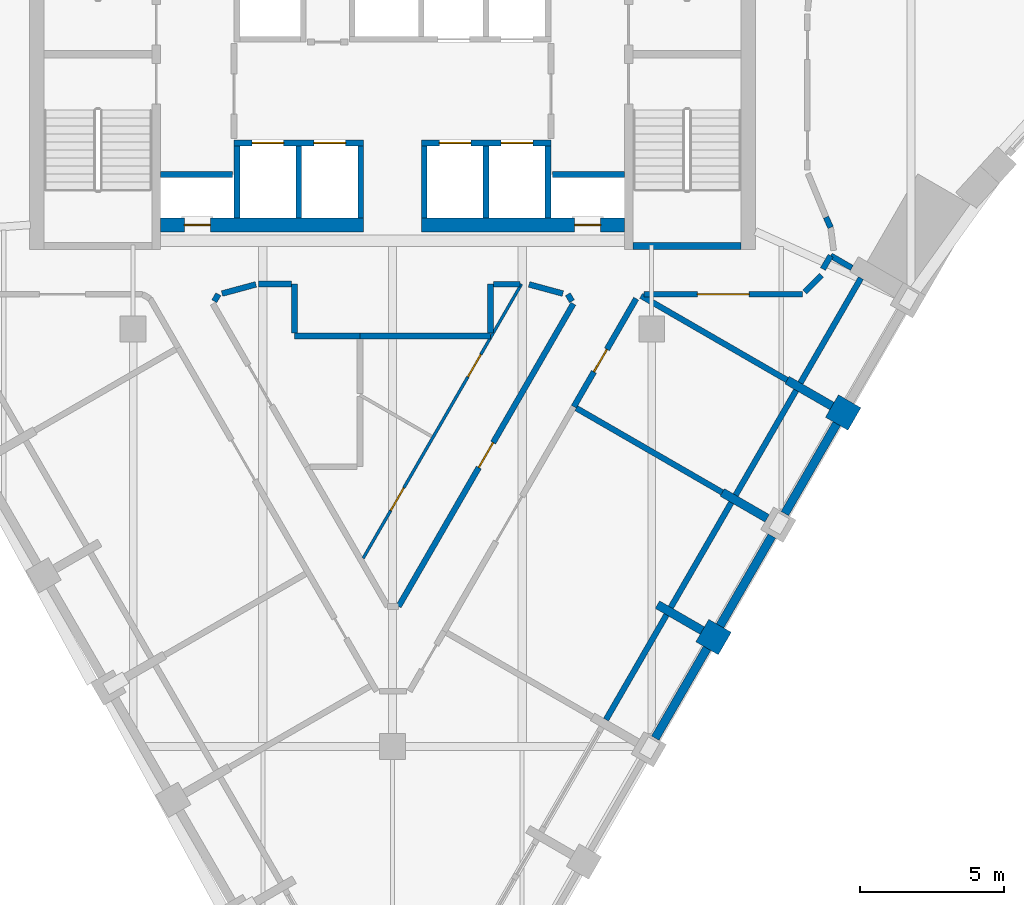
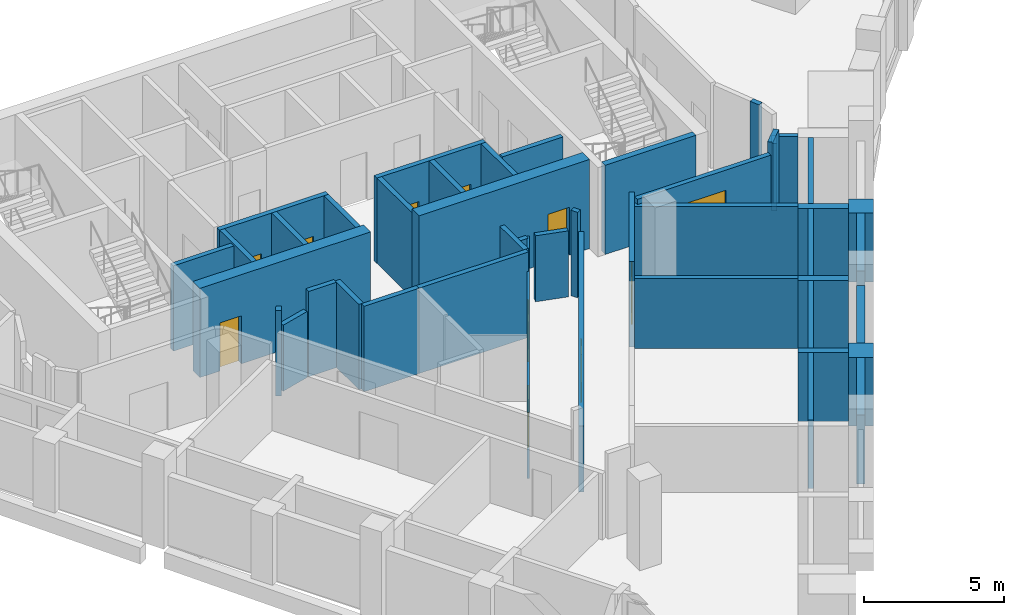
# One storey, part 4 of 8: 45 walls, 11 doors, 11 openings.
"""IFC4 building model written with IfcOpenShell, lengths in metres."""

from ifc_helpers import new_model, si_unit, direction, frame, frame_2d, origin, place, context, subcontext, project, spatial, rectangle, extrude, material, layer, layer_set, type_object, element, fill, save


model = new_model("IFC4")

# Units and contexts
model_context = context("Model", 3, precision=1e-05, world=origin(), true_north=direction((0.0, 1.0)))
body_context = subcontext(model_context, "Body", "Model", "MODEL_VIEW")
ifc_project = project(units=[si_unit("LENGTHUNIT", "METRE"), si_unit("AREAUNIT", "SQUARE_METRE"), si_unit("VOLUMEUNIT", "CUBIC_METRE"), si_unit("PLANEANGLEUNIT", "RADIAN"), si_unit("MASSUNIT", "GRAM", prefix="KILO")], contexts=[model_context])

# Site, building, storey
site_placement = place(None, origin())
site = spatial("IfcSite", under=ifc_project, at=site_placement, CompositionType="ELEMENT")
building_placement = place(site_placement, origin())
building = spatial("IfcBuilding", under=site, at=building_placement, Name="Calabash Gate Tower", CompositionType="ELEMENT")
storey_placement = place(building_placement, frame((0.0, 0.0, 267.699951171875)))
storey = spatial("IfcBuildingStorey", under=building, at=storey_placement, Name="L64", CompositionType="ELEMENT", Elevation=267.699951171875)

# Walls
ifc_material_1 = material(Name="Terracotta brick masonry, exposed face", Category="masonry")
ifc_layer_1 = layer(ifc_material_1, 0.89990234375)
ifc_layer_set_1 = layer_set([ifc_layer_1], Name="Brick end wall 900")
wall_type_1 = type_object("IfcWallType", Name="Brick end wall 900", PredefinedType="SOLIDWALL", material=ifc_layer_set_1)
for number, where, z_axis, x_axis, name in (
    (1, (10.92138671875, -8.5908203125, 0.0), (0.0, 0.0, 1.0), (0.500223362819, 0.865896406789, 0.0), "Brick pier S18 SE2.3"),
    (2, (15.2568359375, -0.181884765625, 0.0), (0.0, 0.0, 1.0), (0.865896406789, -0.500223362819, 0.0), "Brick pier S18 SE2.5"),
):
    element("IfcWall", number, at=place(storey_placement, frame(where, z_axis=z_axis, x_axis=x_axis)), inside=storey, type_object=wall_type_1, Name=name, PredefinedType="SOLIDWALL", context=body_context, shape_type="SweptSolid", body=[
        extrude(rectangle(XDim=0.89990234375, YDim=0.89990234375, at=frame_2d((0.449951171875, 0.0))), origin(), (0.0, 0.0, 1.0), 3.0),
    ])
ifc_material_2 = material(Name="Terracotta brick masonry, exposed face", Category="masonry")
ifc_layer_2 = layer(ifc_material_2, 0.300048828125)
ifc_layer_set_2 = layer_set([ifc_layer_2], Name="Brick infill panel wall 300")
wall_type_2 = type_object("IfcWallType", Name="Brick infill panel wall 300", PredefinedType="SOLIDWALL", material=ifc_layer_set_2)
for number, where, z_axis, x_axis, name in (
    (3, (9.12158203125, -11.708740234375, 0.0), (0.0, 0.0, 1.0), (0.499961193289, 0.866047807691, 0.0), "Brick panel S18 SE2.3"),
    (4, (11.37158203125, -7.8115234375, 0.0), (0.0, 0.0, 1.0), (0.499961193289, 0.866047807691, 0.0), "Brick panel S18 SE2.4"),
    (5, (13.62158203125, -3.914306640625, 0.0), (0.0, 0.0, 1.0), (0.499961193289, 0.866047807691, 0.0), "Brick panel S18 SE2.5"),
):
    element("IfcWall", number, at=place(storey_placement, frame(where, z_axis=z_axis, x_axis=x_axis)), inside=storey, type_object=wall_type_2, Name=name, PredefinedType="SOLIDWALL", context=body_context, shape_type="SweptSolid", body=[
        extrude(rectangle(XDim=3.599853515625, YDim=0.300048828125, at=frame_2d((1.7998046875, 0.0))), origin(), (0.0, 0.0, 1.0), 3.0),
    ])
ifc_material_3 = material(Name="Terracotta brick masonry, exposed face", Category="masonry")
ifc_layer_3 = layer(ifc_material_3, 0.300048828125)
ifc_layer_set_3 = layer_set([ifc_layer_3], Name="Brick loggia cheek wall 300")
wall_type_3 = type_object("IfcWallType", Name="Brick loggia cheek wall 300", PredefinedType="SOLIDWALL", material=ifc_layer_set_3)
wall_1_placement = place(storey_placement, frame((10.7568359375, -7.976318359375, 0.0), z_axis=(0.0, 0.0, 1.0), x_axis=(-0.865989075817, 0.500062916607, 0.0)))
element("IfcWall", 6, at=wall_1_placement, inside=storey, type_object=wall_type_3, Name="Loggia cheek S18 SE2.3", PredefinedType="SOLIDWALL", context=body_context, shape_type="SweptSolid", body=[
    extrude(rectangle(XDim=1.800048828125, YDim=0.300048828125, at=frame_2d((0.89990234375, 0.0))), origin(), (0.0, 0.0, 1.0), 3.0),
])
wall_2_placement = place(storey_placement, frame((13.00634765625, -4.078857421875, 0.0), z_axis=(0.0, 0.0, 1.0), x_axis=(-0.866038726271, 0.499976924066, 0.0)))
element("IfcWall", 7, at=wall_2_placement, inside=storey, type_object=wall_type_3, Name="Loggia cheek S18 SE2.4", PredefinedType="SOLIDWALL", context=body_context, shape_type="SweptSolid", body=[
    extrude(rectangle(XDim=1.79931640625, YDim=0.300048828125, at=frame_2d((0.899658203125, 0.0))), origin(), (0.0, 0.0, 1.0), 3.0),
])
wall_3_placement = place(storey_placement, frame((15.2568359375, -0.181884765625, 0.0), z_axis=(0.0, 0.0, 1.0), x_axis=(-0.866047807691, 0.499961193289, 0.0)))
element("IfcWall", 8, at=wall_3_placement, inside=storey, type_object=wall_type_3, Name="Loggia cheek S18 SE2.5", PredefinedType="SOLIDWALL", context=body_context, shape_type="SweptSolid", body=[
    extrude(rectangle(XDim=1.800048828125, YDim=0.300048828125, at=frame_2d((0.89990234375, 0.0))), origin(), (0.0, 0.0, 1.0), 3.0),
])
ifc_material_4 = material(Name="Concrete C60/75", Category="concrete")
ifc_layer_4 = layer(ifc_material_4, 0.25)
ifc_layer_set_4 = layer_set([ifc_layer_4], Name="Core wall 250 Concrete C60/75")
wall_type_4 = type_object("IfcWallType", Name="Core wall 250 Concrete C60/75", PredefinedType="SHEAR", material=ifc_layer_set_4)
wall_4_placement = place(storey_placement, frame((8.35009765625, 5.377685546875, 0.0), z_axis=(0.0, 0.0, 1.0), x_axis=(1.0, 0.0, 0.0)))
element("IfcWall", 9, at=wall_4_placement, inside=storey, type_object=wall_type_4, Name="Core wall Z5-SSE L64", PredefinedType="SHEAR", context=body_context, shape_type="SweptSolid", body=[
    extrude(rectangle(XDim=3.75, YDim=0.25, at=frame_2d((1.875, 0.0))), origin(), (0.0, 0.0, 1.0), 3.900146484375),
])

# Wall, opening, door
ifc_material_5 = material(Name="Concrete C60/75", Category="concrete")
ifc_layer_5 = layer(ifc_material_5, 0.5)
ifc_layer_set_5 = layer_set([ifc_layer_5], Name="Core wall 500 Concrete C60/75")
wall_type_5 = type_object("IfcWallType", Name="Core wall 500 Concrete C60/75", PredefinedType="SHEAR", material=ifc_layer_set_5)
wall_5_placement = place(storey_placement, frame((-8.050048828125, 6.1025390625, 0.0), z_axis=(0.0, 0.0, 1.0), x_axis=(1.0, 0.0, 0.0)))
wall_5 = element("IfcWall", 10, at=wall_5_placement, inside=storey, type_object=wall_type_5, Name="Core wall Z5-SA L64", PredefinedType="SHEAR", context=body_context, shape_type="SweptSolid", body=[
    extrude(rectangle(XDim=7.050048828125, YDim=0.5, at=frame_2d((3.52490234375, 0.0))), origin(), (0.0, 0.0, 1.0), 3.900146484375),
])
opening_1_placement = place(wall_5_placement, frame((0.824951171875, 0.0, 0.0)))
opening_1 = element("IfcOpeningElement", 11, at=opening_1_placement, cuts=wall_5, Name="Opening O10-008", PredefinedType="OPENING", context=body_context, shape_type="SweptSolid", body=[
    extrude(rectangle(XDim=0.89990234375, YDim=2.10009765625, at=frame_2d((0.449951171875, 1.050048828125))), frame((0.0, 0.260009765625, 0.0), z_axis=(0.0, -1.0, 0.0), x_axis=(1.0, 0.0, 0.0)), (0.0, 0.0, 1.0), 0.52001953125),
])
ifc_material_6 = material(Name="Steel fire door set with fire-resisting glazing", Category="steel")
door_type_1 = type_object("IfcDoorType", Name="Fire door D07 900x2100 FD90", OperationType="NOTDEFINED", PredefinedType="DOOR", material=ifc_material_6)
door_1_placement = place(opening_1_placement, origin())
door_1 = element("IfcDoor", 12, at=door_1_placement, inside=storey, type_object=door_type_1, Name="Electrical Riser W door", OperationType="SINGLE_SWING_LEFT", OverallHeight=2.10009765625, OverallWidth=0.89990234375, PredefinedType="DOOR", context=body_context, shape_type="SweptSolid", body=[
    extrude(rectangle(XDim=0.89990234375, YDim=2.10009765625, at=frame_2d((0.449951171875, 1.050048828125))), frame((0.0, 0.02490234375, 0.0), z_axis=(0.0, -1.0, 0.0), x_axis=(1.0, 0.0, 0.0)), (0.0, 0.0, 1.0), 0.050048828125),
])
fill(opening_1, door_1)

wall_6_placement = place(storey_placement, frame((1.0, 6.1025390625, 0.0), z_axis=(0.0, 0.0, 1.0), x_axis=(1.0, 0.0, 0.0)))
wall_6 = element("IfcWall", 13, at=wall_6_placement, inside=storey, type_object=wall_type_5, Name="Core wall Z5-SB L64", PredefinedType="SHEAR", context=body_context, shape_type="SweptSolid", body=[
    extrude(rectangle(XDim=7.050048828125, YDim=0.5, at=frame_2d((3.52490234375, 0.0))), origin(), (0.0, 0.0, 1.0), 3.900146484375),
])
opening_2_placement = place(wall_6_placement, frame((5.324951171875, 0.0, 0.0)))
opening_2 = element("IfcOpeningElement", 14, at=opening_2_placement, cuts=wall_6, Name="Opening O10-007", PredefinedType="OPENING", context=body_context, shape_type="SweptSolid", body=[
    extrude(rectangle(XDim=0.89990234375, YDim=2.10009765625, at=frame_2d((0.449951171875, 1.050048828125))), frame((0.0, 0.260009765625, 0.0), z_axis=(0.0, -1.0, 0.0), x_axis=(1.0, 0.0, 0.0)), (0.0, 0.0, 1.0), 0.52001953125),
])
door_2_placement = place(opening_2_placement, origin())
door_2 = element("IfcDoor", 15, at=door_2_placement, inside=storey, type_object=door_type_1, Name="Mechanical Riser E door", OperationType="SINGLE_SWING_RIGHT", OverallHeight=2.10009765625, OverallWidth=0.89990234375, PredefinedType="DOOR", context=body_context, shape_type="SweptSolid", body=[
    extrude(rectangle(XDim=0.89990234375, YDim=2.10009765625, at=frame_2d((0.449951171875, 1.050048828125))), frame((0.0, 0.02490234375, 0.0), z_axis=(0.0, -1.0, 0.0), x_axis=(1.0, 0.0, 0.0)), (0.0, 0.0, 1.0), 0.050048828125),
])
fill(opening_2, door_2)

# Wall, openings, doors
ifc_material_7 = material(Name="Gypsum board on steel studs, mineral wool", Category="steel")
ifc_layer_6 = layer(ifc_material_7, 0.10009765625)
ifc_layer_set_6 = layer_set([ifc_layer_6], Name="Partition 100 gypsum board")
wall_type_6 = type_object("IfcWallType", Name="Partition 100 gypsum board", PredefinedType="PARTITIONING", material=ifc_layer_set_6)
wall_7_placement = place(storey_placement, frame((-1.01708984375, -5.46533203125, 0.0), z_axis=(0.0, 0.0, 1.0), x_axis=(0.499983334908, 0.866035025166, 0.0)))
wall_7 = element("IfcWall", 16, at=wall_7_placement, inside=storey, type_object=wall_type_6, Name="Partition", PredefinedType="PARTITIONING", context=body_context, shape_type="SweptSolid", body=[
    extrude(rectangle(XDim=10.990234375, YDim=0.10009765625, at=frame_2d((5.4951171875, 0.0))), origin(), (0.0, 0.0, 1.0), 2.884033203125),
])
opening_3_placement = place(wall_7_placement, frame((1.915283203125, 0.0, 0.0)))
opening_3 = element("IfcOpeningElement", 17, at=opening_3_placement, cuts=wall_7, Name="Opening 62-64-013", PredefinedType="OPENING", context=body_context, shape_type="SweptSolid", body=[
    extrude(rectangle(XDim=0.89990234375, YDim=2.10009765625, at=frame_2d((0.449951171875, 1.050048828125))), frame((0.0, 0.06005859375, 0.0), z_axis=(0.0, -1.0, 0.0), x_axis=(1.0, 0.0, 0.0)), (0.0, 0.0, 1.0), 0.1201171875),
])
opening_4_placement = place(wall_7_placement, frame((7.2705078125, 0.0, 0.0)))
opening_4 = element("IfcOpeningElement", 18, at=opening_4_placement, cuts=wall_7, Name="Opening 62-64-014", PredefinedType="OPENING", context=body_context, shape_type="SweptSolid", body=[
    extrude(rectangle(XDim=0.89990234375, YDim=2.10009765625, at=frame_2d((0.449951171875, 1.050048828125))), frame((0.0, 0.06005859375, 0.0), z_axis=(0.0, -1.0, 0.0), x_axis=(1.0, 0.0, 0.0)), (0.0, 0.0, 1.0), 0.1201171875),
])
ifc_material_8 = material(Name="Painted timber door", Category="wood")
door_type_2 = type_object("IfcDoorType", Name="WD1 WC door 900x2100", OperationType="NOTDEFINED", PredefinedType="DOOR", material=ifc_material_8)
door_3_placement = place(opening_3_placement, origin())
door_3 = element("IfcDoor", 19, at=door_3_placement, inside=storey, type_object=door_type_2, Name="WC door", OperationType="SINGLE_SWING_LEFT", OverallHeight=2.10009765625, OverallWidth=0.89990234375, PredefinedType="DOOR", context=body_context, shape_type="SweptSolid", body=[
    extrude(rectangle(XDim=0.89990234375, YDim=2.10009765625, at=frame_2d((0.449951171875, 1.050048828125))), frame((0.0, 0.02490234375, 0.0), z_axis=(0.0, -1.0, 0.0), x_axis=(1.0, 0.0, 0.0)), (0.0, 0.0, 1.0), 0.050048828125),
])
fill(opening_3, door_3)
door_4_placement = place(opening_4_placement, origin())
door_4 = element("IfcDoor", 20, at=door_4_placement, inside=storey, type_object=door_type_2, Name="WC door", OperationType="SINGLE_SWING_RIGHT", OverallHeight=2.10009765625, OverallWidth=0.89990234375, PredefinedType="DOOR", context=body_context, shape_type="SweptSolid", body=[
    extrude(rectangle(XDim=0.89990234375, YDim=2.10009765625, at=frame_2d((0.449951171875, 1.050048828125))), frame((0.0, 0.02490234375, 0.0), z_axis=(0.0, -1.0, 0.0), x_axis=(1.0, 0.0, 0.0)), (0.0, 0.0, 1.0), 0.050048828125),
])
fill(opening_4, door_4)

# Wall, opening, door
ifc_material_9 = material(Name="Gypsum board on steel studs, mineral wool", Category="steel")
ifc_layer_7 = layer(ifc_material_9, 0.199951171875)
ifc_layer_set_7 = layer_set([ifc_layer_7], Name="Partition 200 gypsum board EI 60")
wall_type_7 = type_object("IfcWallType", Name="Partition 200 gypsum board EI 60", PredefinedType="PARTITIONING", material=ifc_layer_set_7)
wall_8_placement = place(storey_placement, frame((0.21240234375, -7.13916015625, 0.0), z_axis=(0.0, 0.0, 1.0), x_axis=(0.499990649477, 0.866030802244, 0.0)))
wall_8 = element("IfcWall", 21, at=wall_8_placement, inside=storey, type_object=wall_type_7, Name="Partition", PredefinedType="PARTITIONING", context=body_context, shape_type="SweptSolid", body=[
    extrude(rectangle(XDim=12.135009765625, YDim=0.199951171875, at=frame_2d((6.0673828125, 0.0))), origin(), (0.0, 0.0, 1.0), 2.884033203125),
])
opening_5_placement = place(wall_8_placement, frame((5.5673828125, 0.0, 0.0)))
opening_5 = element("IfcOpeningElement", 22, at=opening_5_placement, cuts=wall_8, Name="Opening 62-64-012", PredefinedType="OPENING", context=body_context, shape_type="SweptSolid", body=[
    extrude(rectangle(XDim=1.0, YDim=2.10009765625, at=frame_2d((0.5, 1.050048828125))), frame((0.0, 0.10986328125, 0.0), z_axis=(0.0, -1.0, 0.0), x_axis=(1.0, 0.0, 0.0)), (0.0, 0.0, 1.0), 0.219970703125),
])
ifc_material_10 = material(Name="Steel fire door set with fire-resisting glazing", Category="steel")
door_type_3 = type_object("IfcDoorType", Name="WD3 WC lobby door 1000x2100", OperationType="NOTDEFINED", PredefinedType="DOOR", material=ifc_material_10)
door_5_placement = place(opening_5_placement, origin())
door_5 = element("IfcDoor", 23, at=door_5_placement, inside=storey, type_object=door_type_3, Name="WC lobby door", OperationType="SINGLE_SWING_RIGHT", OverallHeight=2.10009765625, OverallWidth=1.0, PredefinedType="DOOR", context=body_context, shape_type="SweptSolid", body=[
    extrude(rectangle(XDim=1.0, YDim=2.10009765625, at=frame_2d((0.5, 1.050048828125))), frame((0.0, 0.02490234375, 0.0), z_axis=(0.0, -1.0, 0.0), x_axis=(1.0, 0.0, 0.0)), (0.0, 0.0, 1.0), 0.050048828125),
])
fill(opening_5, door_5)

# Wall
wall_9_placement = place(storey_placement, frame((6.3818359375, -0.25390625, 0.0), z_axis=(0.0, 0.0, 1.0), x_axis=(0.866018092707, -0.500012662943, 0.0)))
element("IfcWall", 24, at=wall_9_placement, inside=storey, type_object=wall_type_7, Name="Partition", PredefinedType="PARTITIONING", context=body_context, shape_type="SweptSolid", body=[
    extrude(rectangle(XDim=5.849853515625, YDim=0.199951171875, at=frame_2d((2.9248046875, 0.0))), origin(), (0.0, 0.0, 1.0), 3.052001953125),
])

# Wall, opening, door
wall_10_placement = place(storey_placement, frame((6.29541015625, -0.2041015625, 0.0), z_axis=(0.0, 0.0, 1.0), x_axis=(0.499964815505, 0.866045716609, 0.0)))
wall_10 = element("IfcWall", 25, at=wall_10_placement, inside=storey, type_object=wall_type_7, Name="Partition", PredefinedType="PARTITIONING", context=body_context, shape_type="SweptSolid", body=[
    extrude(rectangle(XDim=4.330810546875, YDim=0.199951171875, at=frame_2d((2.16552734375, 0.0))), origin(), (0.0, 0.0, 1.0), 3.72998046875),
])
opening_6_placement = place(wall_10_placement, frame((1.39697265625, 0.0, 0.0)))
opening_6 = element("IfcOpeningElement", 26, at=opening_6_placement, cuts=wall_10, Name="Opening 62-64-004", PredefinedType="OPENING", context=body_context, shape_type="SweptSolid", body=[
    extrude(rectangle(XDim=0.89990234375, YDim=2.10009765625, at=frame_2d((0.449951171875, 1.050048828125))), frame((0.0, 0.10986328125, 0.0), z_axis=(0.0, -1.0, 0.0), x_axis=(1.0, 0.0, 0.0)), (0.0, 0.0, 1.0), 0.219970703125),
])
ifc_material_11 = material(Name="Steel fire door set with fire-resisting glazing", Category="steel")
door_type_4 = type_object("IfcDoorType", Name="SD3 Store door 900x2100", OperationType="NOTDEFINED", PredefinedType="DOOR", material=ifc_material_11)
door_6_placement = place(opening_6_placement, origin())
door_6 = element("IfcDoor", 27, at=door_6_placement, inside=storey, type_object=door_type_4, Name="Store door", OperationType="SINGLE_SWING_RIGHT", OverallHeight=2.10009765625, OverallWidth=0.89990234375, PredefinedType="DOOR", context=body_context, shape_type="SweptSolid", body=[
    extrude(rectangle(XDim=0.89990234375, YDim=2.10009765625, at=frame_2d((0.449951171875, 1.050048828125))), frame((0.0, 0.02490234375, 0.0), z_axis=(0.0, -1.0, 0.0), x_axis=(1.0, 0.0, 0.0)), (0.0, 0.0, 1.0), 0.050048828125),
])
fill(opening_6, door_6)

# Walls
wall_11_placement = place(storey_placement, frame((-3.400146484375, 2.25244140625, 0.0), z_axis=(0.0, 0.0, 1.0), x_axis=(0.999999630572, -0.000859567749, 0.0)))
element("IfcWall", 28, at=wall_11_placement, inside=storey, type_object=wall_type_7, Name="Partition", PredefinedType="PARTITIONING", context=body_context, shape_type="SweptSolid", body=[
    extrude(rectangle(XDim=2.272216796875, YDim=0.199951171875, at=frame_2d((1.13623046875, 0.0))), origin(), (0.0, 0.0, 1.0), 3.72998046875),
])
wall_12_placement = place(storey_placement, frame((-1.1259765625, 2.25048828125, 0.0), z_axis=(0.0, 0.0, 1.0), x_axis=(0.999999906884, 0.000431545973, 0.0)))
element("IfcWall", 29, at=wall_12_placement, inside=storey, type_object=wall_type_7, Name="Partition", PredefinedType="PARTITIONING", context=body_context, shape_type="SweptSolid", body=[
    extrude(rectangle(XDim=4.52587890625, YDim=0.199951171875, at=frame_2d((2.262939453125, 0.0))), origin(), (0.0, 0.0, 1.0), 3.72998046875),
])
wall_13_placement = place(storey_placement, frame((-3.402099609375, 4.050537109375, 0.0), z_axis=(0.0, 0.0, 1.0), x_axis=(0.001150085496, -0.999999338651, 0.0)))
element("IfcWall", 30, at=wall_13_placement, inside=storey, type_object=wall_type_7, Name="Partition", PredefinedType="PARTITIONING", context=body_context, shape_type="SweptSolid", body=[
    extrude(rectangle(XDim=1.6982421875, YDim=0.199951171875, at=frame_2d((0.84912109375, 0.0))), origin(), (0.0, 0.0, 1.0), 3.72998046875),
])
wall_14_placement = place(storey_placement, frame((6.089599609375, 3.69970703125, 0.0), z_axis=(0.0, 0.0, 1.0), x_axis=(0.499973348067, -0.866040790738, 0.0)))
element("IfcWall", 31, at=wall_14_placement, inside=storey, type_object=wall_type_7, Name="Partition", PredefinedType="PARTITIONING", context=body_context, shape_type="SweptSolid", body=[
    extrude(rectangle(XDim=0.28076171875, YDim=0.199951171875, at=frame_2d((0.140380859375, 0.0))), origin(), (0.0, 0.0, 1.0), 3.72998046875),
])
wall_15_placement = place(storey_placement, frame((8.632080078125, 3.64501953125, 0.0), z_axis=(0.0, 0.0, 1.0), x_axis=(0.865909656502, -0.500200426606, 0.0)))
element("IfcWall", 32, at=wall_15_placement, inside=storey, type_object=wall_type_7, Name="Partition", PredefinedType="PARTITIONING", context=body_context, shape_type="SweptSolid", body=[
    extrude(rectangle(XDim=5.8505859375, YDim=0.199951171875, at=frame_2d((2.92529296875, 0.0))), origin(), (0.0, 0.0, 1.0), 3.052001953125),
])
wall_16_placement = place(storey_placement, frame((-6.185546875, 3.456298828125, 0.0), z_axis=(0.0, 0.0, 1.0), x_axis=(0.504408873088, 0.863464931975, 0.0)))
element("IfcWall", 33, at=wall_16_placement, inside=storey, type_object=wall_type_7, Name="Partition", PredefinedType="PARTITIONING", context=body_context, shape_type="SweptSolid", body=[
    extrude(rectangle(XDim=0.2822265625, YDim=0.199951171875, at=frame_2d((0.14111328125, 0.0))), origin(), (0.0, 0.0, 1.0), 3.72998046875),
])

# Wall, opening, door
wall_17_placement = place(storey_placement, frame((8.72607421875, 3.699462890625, 0.0), z_axis=(0.0, 0.0, 1.0), x_axis=(1.0, 0.0, 0.0)))
wall_17 = element("IfcWall", 34, at=wall_17_placement, inside=storey, type_object=wall_type_7, Name="Partition", PredefinedType="PARTITIONING", context=body_context, shape_type="SweptSolid", body=[
    extrude(rectangle(XDim=5.513916015625, YDim=0.199951171875, at=frame_2d((2.7568359375, 0.0))), origin(), (0.0, 0.0, 1.0), 3.2822265625),
])
opening_7_placement = place(wall_17_placement, frame((1.85693359375, 0.0, 0.0)))
opening_7 = element("IfcOpeningElement", 35, at=opening_7_placement, cuts=wall_17, Name="Opening 62-64-010", PredefinedType="OPENING", context=body_context, shape_type="SweptSolid", body=[
    extrude(rectangle(XDim=1.800048828125, YDim=2.39990234375, at=frame_2d((0.89990234375, 1.199951171875))), frame((0.0, 0.10986328125, 0.0), z_axis=(0.0, -1.0, 0.0), x_axis=(1.0, 0.0, 0.0)), (0.0, 0.0, 1.0), 0.219970703125),
])
ifc_material_12 = material(Name="Steel fire door set with fire-resisting glazing", Category="steel")
door_type_5 = type_object("IfcDoorType", Name="OD5 Open office double door 1800x2400", OperationType="NOTDEFINED", PredefinedType="DOOR", material=ifc_material_12)
door_7_placement = place(opening_7_placement, origin())
door_7 = element("IfcDoor", 36, at=door_7_placement, inside=storey, type_object=door_type_5, Name="Open office double door", OperationType="DOUBLE_DOOR_SINGLE_SWING", OverallHeight=2.39990234375, OverallWidth=1.800048828125, PredefinedType="DOOR", context=body_context, shape_type="SweptSolid", body=[
    extrude(rectangle(XDim=1.800048828125, YDim=2.39990234375, at=frame_2d((0.89990234375, 1.199951171875))), frame((0.0, 0.02490234375, 0.0), z_axis=(0.0, -1.0, 0.0), x_axis=(1.0, 0.0, 0.0)), (0.0, 0.0, 1.0), 0.050048828125),
])
fill(opening_7, door_7)

# Walls
wall_18_placement = place(storey_placement, frame((4.7421875, 4.041015625, 0.0), z_axis=(0.0, 0.0, 1.0), x_axis=(0.965129144807, -0.261774203931, 0.0)))
element("IfcWall", 37, at=wall_18_placement, inside=storey, type_object=wall_type_7, Name="Partition", PredefinedType="PARTITIONING", context=body_context, shape_type="SweptSolid", body=[
    extrude(rectangle(XDim=1.21533203125, YDim=0.199951171875, at=frame_2d((0.607666015625, 0.0))), origin(), (0.0, 0.0, 1.0), 2.884033203125),
])
wall_19_placement = place(storey_placement, frame((-5.91650390625, 3.72265625, 0.0), z_axis=(0.0, 0.0, 1.0), x_axis=(0.965160943547, 0.26165693771, 0.0)))
element("IfcWall", 38, at=wall_19_placement, inside=storey, type_object=wall_type_7, Name="Partition", PredefinedType="PARTITIONING", context=body_context, shape_type="SweptSolid", body=[
    extrude(rectangle(XDim=1.216796875, YDim=0.199951171875, at=frame_2d((0.6083984375, 0.0))), origin(), (0.0, 0.0, 1.0), 2.884033203125),
])
wall_20_placement = place(storey_placement, frame((-4.65625, 4.052490234375, 0.0), z_axis=(0.0, 0.0, 1.0), x_axis=(0.999998904, -0.001480539832, 0.0)))
element("IfcWall", 39, at=wall_20_placement, inside=storey, type_object=wall_type_7, Name="Partition", PredefinedType="PARTITIONING", context=body_context, shape_type="SweptSolid", body=[
    extrude(rectangle(XDim=1.154296875, YDim=0.199951171875, at=frame_2d((0.5771484375, 0.0))), origin(), (0.0, 0.0, 1.0), 3.72998046875),
])
wall_21_placement = place(storey_placement, frame((3.400146484375, 2.352294921875, 0.0), z_axis=(0.0, 0.0, 1.0), x_axis=(0.001150085496, 0.999999338651, 0.0)))
element("IfcWall", 40, at=wall_21_placement, inside=storey, type_object=wall_type_7, Name="Partition", PredefinedType="PARTITIONING", context=body_context, shape_type="SweptSolid", body=[
    extrude(rectangle(XDim=1.6982421875, YDim=0.199951171875, at=frame_2d((0.84912109375, 0.0))), origin(), (0.0, 0.0, 1.0), 3.72998046875),
])
wall_22_placement = place(storey_placement, frame((3.501953125, 4.050537109375, 0.0), z_axis=(0.0, 0.0, 1.0), x_axis=(1.0, 0.0, 0.0)))
element("IfcWall", 41, at=wall_22_placement, inside=storey, type_object=wall_type_7, Name="Partition", PredefinedType="PARTITIONING", context=body_context, shape_type="SweptSolid", body=[
    extrude(rectangle(XDim=0.927001953125, YDim=0.199951171875, at=frame_2d((0.46337890625, 0.0))), origin(), (0.0, 0.0, 1.0), 2.884033203125),
])
wall_23_placement = place(storey_placement, frame((14.310791015625, 3.770263671875, 0.0), z_axis=(0.0, 0.0, 1.0), x_axis=(0.707253195258, 0.706960336792, 0.0)))
element("IfcWall", 42, at=wall_23_placement, inside=storey, type_object=wall_type_7, Name="Partition", PredefinedType="PARTITIONING", context=body_context, shape_type="SweptSolid", body=[
    extrude(rectangle(XDim=0.833740234375, YDim=0.199951171875, at=frame_2d((0.4169921875, 0.0))), origin(), (0.0, 0.0, 1.0), 3.72998046875),
])
wall_24_placement = place(storey_placement, frame((14.94384765625, 4.5751953125, 0.0), z_axis=(0.0, 0.0, 1.0), x_axis=(0.500209224752, 0.865904574115, 0.0)))
element("IfcWall", 43, at=wall_24_placement, inside=storey, type_object=wall_type_7, Name="Partition", PredefinedType="PARTITIONING", context=body_context, shape_type="SweptSolid", body=[
    extrude(rectangle(XDim=0.535400390625, YDim=0.199951171875, at=frame_2d((0.267578125, 0.0))), origin(), (0.0, 0.0, 1.0), 2.9501953125),
])
wall_25_placement = place(storey_placement, frame((15.211181640625, 5.0380859375, 0.0), z_axis=(0.0, 0.0, 1.0), x_axis=(0.867126672162, -0.498087677447, 0.0)))
element("IfcWall", 44, at=wall_25_placement, inside=storey, type_object=wall_type_7, Name="Partition", PredefinedType="PARTITIONING", context=body_context, shape_type="SweptSolid", body=[
    extrude(rectangle(XDim=0.849365234375, YDim=0.199951171875, at=frame_2d((0.4248046875, 0.0))), origin(), (0.0, 0.0, 1.0), 2.9501953125),
])
wall_26_placement = place(storey_placement, frame((15.05078125, 6.37353515625, 0.0), z_axis=(0.0, 0.0, 1.0), x_axis=(0.408161090952, -0.912909920985, 0.0)))
element("IfcWall", 45, at=wall_26_placement, inside=storey, type_object=wall_type_7, Name="Partition", PredefinedType="PARTITIONING", context=body_context, shape_type="SweptSolid", body=[
    extrude(rectangle(XDim=0.391845703125, YDim=0.199951171875, at=frame_2d((0.19580078125, 0.0))), origin(), (0.0, 0.0, 1.0), 3.72998046875),
])
ifc_material_13 = material(Name="Concrete C40/50", Category="concrete")
ifc_layer_8 = layer(ifc_material_13, 0.199951171875)
ifc_layer_set_8 = layer_set([ifc_layer_8], Name="Shaft wall 200 Concrete C40/50")
wall_type_8 = type_object("IfcWallType", Name="Shaft wall 200 Concrete C40/50", PredefinedType="SOLIDWALL", material=ifc_layer_set_8)
for number, where, z_axis, x_axis, name in (
    (46, (-5.39990234375, 6.3525390625, 0.0), (0.0, 0.0, 1.0), (0.0, 1.0, 0.0), "Shaft wall"),
    (47, (-3.25, 6.3525390625, 0.0), (0.0, 0.0, 1.0), (0.0, 1.0, 0.0), "Shaft wall"),
    (48, (-1.10009765625, 6.3525390625, 0.0), (0.0, 0.0, 1.0), (0.0, 1.0, 0.0), "Shaft wall"),
    (49, (1.10009765625, 6.3525390625, 0.0), (0.0, 0.0, 1.0), (0.0, 1.0, 0.0), "Shaft wall"),
    (50, (3.25, 6.3525390625, 0.0), (0.0, 0.0, 1.0), (0.0, 1.0, 0.0), "Shaft wall"),
    (51, (5.39990234375, 6.3525390625, 0.0), (0.0, 0.0, 1.0), (0.0, 1.0, 0.0), "Shaft wall"),
    (52, (-8.050048828125, 7.8525390625, 0.0), (0.0, 0.0, 1.0), (1.0, 0.0, 0.0), "Shaft wall"),
    (53, (5.550048828125, 7.8525390625, 0.0), (0.0, 0.0, 1.0), (1.0, 0.0, 0.0), "Shaft wall"),
):
    element("IfcWall", number, at=place(storey_placement, frame(where, z_axis=z_axis, x_axis=x_axis)), inside=storey, type_object=wall_type_8, Name=name, PredefinedType="SOLIDWALL", context=body_context, shape_type="SweptSolid", body=[
        extrude(rectangle(XDim=2.5, YDim=0.199951171875, at=frame_2d((1.25, 0.0))), origin(), (0.0, 0.0, 1.0), 3.72998046875),
    ])

# Wall, openings, doors
wall_27_placement = place(storey_placement, frame((-5.5, 8.95263671875, 0.0), z_axis=(0.0, 0.0, 1.0), x_axis=(1.0, 0.0, 0.0)))
wall_27 = element("IfcWall", 54, at=wall_27_placement, inside=storey, type_object=wall_type_8, Name="Shaft wall", PredefinedType="SOLIDWALL", context=body_context, shape_type="SweptSolid", body=[
    extrude(rectangle(XDim=4.5, YDim=0.199951171875, at=frame_2d((2.25, 0.0))), origin(), (0.0, 0.0, 1.0), 3.72998046875),
])
opening_8_placement = place(wall_27_placement, frame((0.625, 0.0, 0.0)))
opening_8 = element("IfcOpeningElement", 55, at=opening_8_placement, cuts=wall_27, Name="Opening LD-HR1", PredefinedType="OPENING", context=body_context, shape_type="SweptSolid", body=[
    extrude(rectangle(XDim=1.10009765625, YDim=2.10009765625, at=frame_2d((0.550048828125, 1.050048828125))), frame((0.0, 0.10986328125, 0.0), z_axis=(0.0, -1.0, 0.0), x_axis=(1.0, 0.0, 0.0)), (0.0, 0.0, 1.0), 0.219970703125),
])
opening_9_placement = place(wall_27_placement, frame((2.77490234375, 0.0, 0.0)))
opening_9 = element("IfcOpeningElement", 56, at=opening_9_placement, cuts=wall_27, Name="Opening LD-HR2", PredefinedType="OPENING", context=body_context, shape_type="SweptSolid", body=[
    extrude(rectangle(XDim=1.10009765625, YDim=2.10009765625, at=frame_2d((0.550048828125, 1.050048828125))), frame((0.0, 0.10986328125, 0.0), z_axis=(0.0, -1.0, 0.0), x_axis=(1.0, 0.0, 0.0)), (0.0, 0.0, 1.0), 0.219970703125),
])
ifc_material_14 = material(Name="Stainless steel sliding door leaves", Category="steel")
door_type_6 = type_object("IfcDoorType", Name="Lift landing door LS1 1100x2100 FD90", OperationType="DOUBLE_DOOR_SLIDING", PredefinedType="DOOR", material=ifc_material_14)
door_8_placement = place(opening_8_placement, origin())
door_8 = element("IfcDoor", 57, at=door_8_placement, inside=storey, type_object=door_type_6, Name="Lift landing door HR1", OperationType="DOUBLE_DOOR_SLIDING", OverallHeight=2.10009765625, OverallWidth=1.10009765625, PredefinedType="DOOR", context=body_context, shape_type="SweptSolid", body=[
    extrude(rectangle(XDim=1.10009765625, YDim=2.10009765625, at=frame_2d((0.550048828125, 1.050048828125))), frame((0.0, 0.02490234375, 0.0), z_axis=(0.0, -1.0, 0.0), x_axis=(1.0, 0.0, 0.0)), (0.0, 0.0, 1.0), 0.050048828125),
])
fill(opening_8, door_8)
door_9_placement = place(opening_9_placement, origin())
door_9 = element("IfcDoor", 58, at=door_9_placement, inside=storey, type_object=door_type_6, Name="Lift landing door HR2", OperationType="DOUBLE_DOOR_SLIDING", OverallHeight=2.10009765625, OverallWidth=1.10009765625, PredefinedType="DOOR", context=body_context, shape_type="SweptSolid", body=[
    extrude(rectangle(XDim=1.10009765625, YDim=2.10009765625, at=frame_2d((0.550048828125, 1.050048828125))), frame((0.0, 0.02490234375, 0.0), z_axis=(0.0, -1.0, 0.0), x_axis=(1.0, 0.0, 0.0)), (0.0, 0.0, 1.0), 0.050048828125),
])
fill(opening_9, door_9)

wall_28_placement = place(storey_placement, frame((1.0, 8.95263671875, 0.0), z_axis=(0.0, 0.0, 1.0), x_axis=(1.0, 0.0, 0.0)))
wall_28 = element("IfcWall", 59, at=wall_28_placement, inside=storey, type_object=wall_type_8, Name="Shaft wall", PredefinedType="SOLIDWALL", context=body_context, shape_type="SweptSolid", body=[
    extrude(rectangle(XDim=4.5, YDim=0.199951171875, at=frame_2d((2.25, 0.0))), origin(), (0.0, 0.0, 1.0), 3.72998046875),
])
opening_10_placement = place(wall_28_placement, frame((0.625, 0.0, 0.0)))
opening_10 = element("IfcOpeningElement", 60, at=opening_10_placement, cuts=wall_28, Name="Opening LD-HR3", PredefinedType="OPENING", context=body_context, shape_type="SweptSolid", body=[
    extrude(rectangle(XDim=1.10009765625, YDim=2.10009765625, at=frame_2d((0.550048828125, 1.050048828125))), frame((0.0, 0.10986328125, 0.0), z_axis=(0.0, -1.0, 0.0), x_axis=(1.0, 0.0, 0.0)), (0.0, 0.0, 1.0), 0.219970703125),
])
opening_11_placement = place(wall_28_placement, frame((2.77490234375, 0.0, 0.0)))
opening_11 = element("IfcOpeningElement", 61, at=opening_11_placement, cuts=wall_28, Name="Opening LD-HR4", PredefinedType="OPENING", context=body_context, shape_type="SweptSolid", body=[
    extrude(rectangle(XDim=1.10009765625, YDim=2.10009765625, at=frame_2d((0.550048828125, 1.050048828125))), frame((0.0, 0.10986328125, 0.0), z_axis=(0.0, -1.0, 0.0), x_axis=(1.0, 0.0, 0.0)), (0.0, 0.0, 1.0), 0.219970703125),
])
door_10_placement = place(opening_10_placement, origin())
door_10 = element("IfcDoor", 62, at=door_10_placement, inside=storey, type_object=door_type_6, Name="Lift landing door HR3", OperationType="DOUBLE_DOOR_SLIDING", OverallHeight=2.10009765625, OverallWidth=1.10009765625, PredefinedType="DOOR", context=body_context, shape_type="SweptSolid", body=[
    extrude(rectangle(XDim=1.10009765625, YDim=2.10009765625, at=frame_2d((0.550048828125, 1.050048828125))), frame((0.0, 0.02490234375, 0.0), z_axis=(0.0, -1.0, 0.0), x_axis=(1.0, 0.0, 0.0)), (0.0, 0.0, 1.0), 0.050048828125),
])
fill(opening_10, door_10)
door_11_placement = place(opening_11_placement, origin())
door_11 = element("IfcDoor", 63, at=door_11_placement, inside=storey, type_object=door_type_6, Name="Lift landing door HR4", OperationType="DOUBLE_DOOR_SLIDING", OverallHeight=2.10009765625, OverallWidth=1.10009765625, PredefinedType="DOOR", context=body_context, shape_type="SweptSolid", body=[
    extrude(rectangle(XDim=1.10009765625, YDim=2.10009765625, at=frame_2d((0.550048828125, 1.050048828125))), frame((0.0, 0.02490234375, 0.0), z_axis=(0.0, -1.0, 0.0), x_axis=(1.0, 0.0, 0.0)), (0.0, 0.0, 1.0), 0.050048828125),
])
fill(opening_11, door_11)

# Walls
ifc_material_15 = material(Name="Aluminium framed window wall with insulated spandrel", Category="aluminium")
ifc_layer_9 = layer(ifc_material_15, 0.199951171875)
ifc_layer_set_9 = layer_set([ifc_layer_9], Name="Window wall 200")
wall_type_9 = type_object("IfcWallType", Name="Window wall 200", PredefinedType="ELEMENTEDWALL", material=ifc_layer_set_9)
wall_29_placement = place(storey_placement, frame((7.41259765625, -11.068359375, 0.0), z_axis=(0.0, 0.0, 1.0), x_axis=(0.500027713859, 0.866009402589, 0.0)))
element("IfcWall", 64, at=wall_29_placement, inside=storey, type_object=wall_type_9, Name="Window wall S18 SE2.3", PredefinedType="ELEMENTEDWALL", context=body_context, shape_type="SweptSolid", body=[
    extrude(rectangle(XDim=4.199951171875, YDim=0.199951171875, at=frame_2d((2.10009765625, 0.0))), origin(), (0.0, 0.0, 1.0), 3.0),
])
wall_30_placement = place(storey_placement, frame((9.66259765625, -7.17138671875, 0.0), z_axis=(0.0, 0.0, 1.0), x_axis=(0.500002543286, 0.866023935413, 0.0)))
element("IfcWall", 65, at=wall_30_placement, inside=storey, type_object=wall_type_9, Name="Window wall S18 SE2.4", PredefinedType="ELEMENTEDWALL", context=body_context, shape_type="SweptSolid", body=[
    extrude(rectangle(XDim=4.2001953125, YDim=0.199951171875, at=frame_2d((2.10009765625, 0.0))), origin(), (0.0, 0.0, 1.0), 3.0),
])
wall_31_placement = place(storey_placement, frame((11.91259765625, -3.274169921875, 0.0), z_axis=(0.0, 0.0, 1.0), x_axis=(0.500027713859, 0.866009402589, 0.0)))
element("IfcWall", 66, at=wall_31_placement, inside=storey, type_object=wall_type_9, Name="Window wall S18 SE2.5", PredefinedType="ELEMENTEDWALL", context=body_context, shape_type="SweptSolid", body=[
    extrude(rectangle(XDim=4.199951171875, YDim=0.199951171875, at=frame_2d((2.10009765625, 0.0))), origin(), (0.0, 0.0, 1.0), 3.0),
])
wall_32_placement = place(storey_placement, frame((14.16259765625, 0.622802734375, 0.0), z_axis=(0.0, 0.0, 1.0), x_axis=(0.500002543286, 0.866023935413, 0.0)))
element("IfcWall", 67, at=wall_32_placement, inside=storey, type_object=wall_type_9, Name="Window wall S18 SE2.6", PredefinedType="ELEMENTEDWALL", context=body_context, shape_type="SweptSolid", body=[
    extrude(rectangle(XDim=4.2001953125, YDim=0.199951171875, at=frame_2d((2.10009765625, 0.0))), origin(), (0.0, 0.0, 1.0), 2.9501953125),
])

save(model, "model.ifc")
